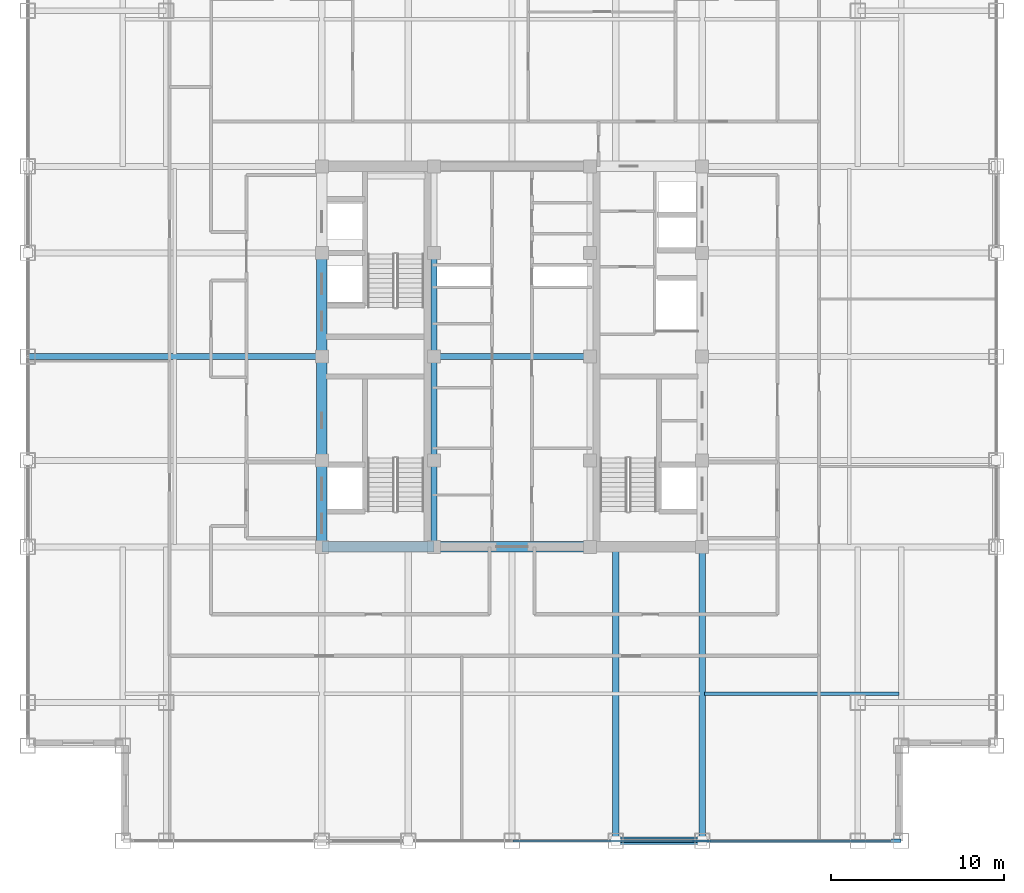
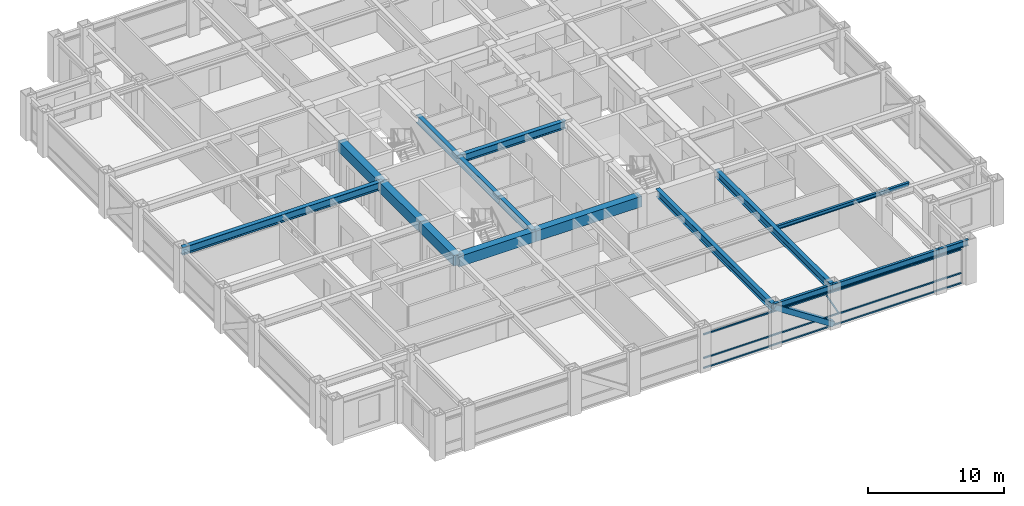
# One storey, part 7 of 22: 16 beams, 5 members, 1 element without a shape of its own.
"""IFC4 building model written with IfcOpenShell, lengths in metres."""

from ifc_helpers import new_model, si_unit, direction, frame, origin, origin_2d, place, context, subcontext, project, spatial, rectangle, hollow_rectangle, i_section, extrude, source, transform, mapped, material, material_profile, profile_set, type_object, element, aggregate, save


model = new_model("IFC4")

# Units and contexts
model_context = context("Model", 3, precision=1e-05, world=origin(), true_north=direction((0.0, 1.0)))
body_context = subcontext(model_context, "Body", "Model", "MODEL_VIEW")
ifc_project = project(units=[si_unit("LENGTHUNIT", "METRE"), si_unit("AREAUNIT", "SQUARE_METRE"), si_unit("VOLUMEUNIT", "CUBIC_METRE"), si_unit("PLANEANGLEUNIT", "RADIAN"), si_unit("MASSUNIT", "GRAM", prefix="KILO")], contexts=[model_context])

# Site, building, storey
site_placement = place(None, origin())
site = spatial("IfcSite", under=ifc_project, at=site_placement, CompositionType="ELEMENT")
building_placement = place(site_placement, origin())
building = spatial("IfcBuilding", under=site, at=building_placement, Name="Khorayat Bourse Tower", CompositionType="ELEMENT")
storey_placement = place(building_placement, frame((0.0, 0.0, 305.5)))
storey = spatial("IfcBuildingStorey", under=building, at=storey_placement, Name="L72", CompositionType="ELEMENT", Elevation=305.5)

# Beams
ifc_material_1 = material(Name="Steel ASTM A992 Grade 50", Category="steel")
ifc_material_profile_1 = material_profile(ifc_material_1, i_section(OverallWidth=0.35498046875, OverallDepth=0.695068359375, WebThickness=0.015380859375, FlangeThickness=0.02490234375, FilletRadius=0.01806640625, at=origin_2d()), Name="W690X217")
ifc_profile_set_1 = profile_set([ifc_material_profile_1], Name="Steel ASTM A992 Grade 50")
beam_type_1 = type_object("IfcBeamType", Name="BM-GIRD-690", PredefinedType="BEAM", material=ifc_profile_set_1)
shared_shape_1 = source(origin(), body_context, "Body", "SweptSolid", [
    extrude(i_section(OverallWidth=0.35498046875, OverallDepth=0.695068359375, WebThickness=0.015380859375, FlangeThickness=0.02490234375, FilletRadius=0.01806640625, at=origin_2d()), origin(), (0.0, 0.0, 1.0), 5.0),
])
beam_1_placement = place(storey_placement, frame((-4.5, -11.0, 3.4326171875), z_axis=(0.0, 1.0, 0.0), x_axis=(-1.0, 0.0, 0.0)))
element("IfcBeam", 1, at=beam_1_placement, inside=storey, type_object=beam_type_1, Name="L72 BM-GIRD-690 BM-L72-CRX-05", PredefinedType="BEAM", context=body_context, shape_type="MappedRepresentation", body=[
    mapped(shared_shape_1, transform((0.0, 0.0, 0.0), scale=1.0)),
])
shared_shape_2 = source(origin(), body_context, "Body", "SweptSolid", [
    extrude(i_section(OverallWidth=0.35498046875, OverallDepth=0.695068359375, WebThickness=0.015380859375, FlangeThickness=0.02490234375, FilletRadius=0.01806640625, at=origin_2d()), origin(), (0.0, 0.0, 1.0), 6.0),
])
for number, where, z_axis, x_axis, name in (
    (2, (-4.5, -6.0, 3.4326171875), (0.0, 1.0, 0.0), (-1.0, 0.0, 0.0), "L72 BM-GIRD-690 BM-L72-CRX-06"),
    (3, (-4.5, 0.0, 3.4326171875), (0.0, 1.0, 0.0), (-1.0, 0.0, 0.0), "L72 BM-GIRD-690 BM-L72-CRX-07"),
):
    element("IfcBeam", number, at=place(storey_placement, frame(where, z_axis=z_axis, x_axis=x_axis)), inside=storey, type_object=beam_type_1, Name=name, PredefinedType="BEAM", context=body_context, shape_type="MappedRepresentation", body=[
        mapped(shared_shape_2, transform((0.0, 0.0, 0.0), scale=1.0)),
    ])
shared_shape_3 = source(origin(), body_context, "Body", "SweptSolid", [
    extrude(i_section(OverallWidth=0.35498046875, OverallDepth=0.695068359375, WebThickness=0.015380859375, FlangeThickness=0.02490234375, FilletRadius=0.01806640625, at=origin_2d()), origin(), (0.0, 0.0, 1.0), 9.0),
])
beam_2_placement = place(storey_placement, frame((-4.5, 0.0, 3.4326171875), z_axis=(1.0, 0.0, 0.0), x_axis=(0.0, 1.0, 0.0)))
element("IfcBeam", 4, at=beam_2_placement, inside=storey, type_object=beam_type_1, Name="L72 BM-GIRD-690 BM-L72-CRY-23", PredefinedType="BEAM", context=body_context, shape_type="MappedRepresentation", body=[
    mapped(shared_shape_3, transform((0.0, 0.0, 0.0), scale=1.0)),
])
ifc_material_2 = material(Name="Concrete C60/75", Category="concrete")
ifc_material_profile_2 = material_profile(ifc_material_2, rectangle(XDim=0.60009765625, YDim=0.949951171875, at=origin_2d()), Name="RC 600x950")
ifc_profile_set_2 = profile_set([ifc_material_profile_2], Name="Concrete C60/75")
beam_type_2 = type_object("IfcBeamType", Name="BM-COUP-950", PredefinedType="BEAM", material=ifc_profile_set_2)
shared_shape_4 = source(origin(), body_context, "Body", "SweptSolid", [
    extrude(rectangle(XDim=0.60009765625, YDim=0.949951171875, at=origin_2d()), origin(), (0.0, 0.0, 1.0), 5.0),
])
beam_3_placement = place(storey_placement, frame((-11.0, -11.0, 3.304931640625), z_axis=(0.0, 1.0, 0.0), x_axis=(-1.0, 0.0, 0.0)))
element("IfcBeam", 5, at=beam_3_placement, inside=storey, type_object=beam_type_2, Name="L72 BM-COUP-950 BM-L72-CRX-01", PredefinedType="BEAM", context=body_context, shape_type="MappedRepresentation", body=[
    mapped(shared_shape_4, transform((0.0, 0.0, 0.0), scale=1.0)),
])
shared_shape_5 = source(origin(), body_context, "Body", "SweptSolid", [
    extrude(rectangle(XDim=0.60009765625, YDim=0.949951171875, at=origin_2d()), origin(), (0.0, 0.0, 1.0), 6.0),
])
for number, where, z_axis, x_axis, name in (
    (6, (-11.0, -6.0, 3.304931640625), (0.0, 1.0, 0.0), (-1.0, 0.0, 0.0), "L72 BM-COUP-950 BM-L72-CRX-02"),
    (7, (-11.0, 0.0, 3.304931640625), (0.0, 1.0, 0.0), (-1.0, 0.0, 0.0), "L72 BM-COUP-950 BM-L72-CRX-03"),
):
    element("IfcBeam", number, at=place(storey_placement, frame(where, z_axis=z_axis, x_axis=x_axis)), inside=storey, type_object=beam_type_2, Name=name, PredefinedType="BEAM", context=body_context, shape_type="MappedRepresentation", body=[
        mapped(shared_shape_5, transform((0.0, 0.0, 0.0), scale=1.0)),
    ])
shared_shape_6 = source(origin(), body_context, "Body", "SweptSolid", [
    extrude(rectangle(XDim=0.60009765625, YDim=0.949951171875, at=origin_2d()), origin(), (0.0, 0.0, 1.0), 6.5),
])
beam_4_placement = place(storey_placement, frame((-11.0, -11.0, 3.304931640625), z_axis=(1.0, 0.0, 0.0), x_axis=(0.0, 1.0, 0.0)))
element("IfcBeam", 8, at=beam_4_placement, inside=storey, type_object=beam_type_2, Name="L72 BM-COUP-950 BM-L72-CRY-17", PredefinedType="BEAM", context=body_context, shape_type="MappedRepresentation", body=[
    mapped(shared_shape_6, transform((0.0, 0.0, 0.0), scale=1.0)),
])
shared_shape_7 = source(origin(), body_context, "Body", "SweptSolid", [
    extrude(rectangle(XDim=0.60009765625, YDim=0.949951171875, at=origin_2d()), origin(), (0.0, 0.0, 1.0), 9.0),
])
beam_5_placement = place(storey_placement, frame((-4.5, -11.0, 3.304931640625), z_axis=(1.0, 0.0, 0.0), x_axis=(0.0, 1.0, 0.0)))
element("IfcBeam", 9, at=beam_5_placement, inside=storey, type_object=beam_type_2, Name="L72 BM-COUP-950 BM-L72-CRY-18", PredefinedType="BEAM", context=body_context, shape_type="MappedRepresentation", body=[
    mapped(shared_shape_7, transform((0.0, 0.0, 0.0), scale=1.0)),
])

# Member
ifc_material_3 = material(Name="Steel EN 10025-4 S460M", Category="steel")
ifc_material_profile_3 = material_profile(ifc_material_3, hollow_rectangle(XDim=0.449951171875, YDim=0.449951171875, WallThickness=0.02490234375, at=origin_2d()), Name="HSS 450x450x25")
ifc_profile_set_3 = profile_set([ifc_material_profile_3], Name="Steel EN 10025-4 S460M")
member_type_1 = type_object("IfcMemberType", Name="MBR-TUBE-450", PredefinedType="BRACE", material=ifc_profile_set_3)
shared_shape_8 = source(origin(), body_context, "Body", "SweptSolid", [
    extrude(hollow_rectangle(XDim=0.449951171875, YDim=0.449951171875, WallThickness=0.02490234375, at=origin_2d()), origin(), (0.0, 0.0, 1.0), 5.979736328125),
])
member_1_placement = place(storey_placement, frame((6.0, -28.0, 3.530029296875), z_axis=(0.836141536525, 0.0, -0.548513747227), x_axis=(0.0, 1.0, 0.0)))
element("IfcMember", 10, at=member_1_placement, inside=storey, type_object=member_type_1, Name="L72 Perimeter Tube Brace 02", PredefinedType="BRACE", context=body_context, shape_type="MappedRepresentation", body=[
    mapped(shared_shape_8, transform((0.0, 0.0, 0.0), scale=1.0)),
])

# Beams
shared_shape_9 = source(origin(), body_context, "Body", "SweptSolid", [
    extrude(i_section(OverallWidth=0.35498046875, OverallDepth=0.695068359375, WebThickness=0.015380859375, FlangeThickness=0.02490234375, FilletRadius=0.01806640625, at=origin_2d()), origin(), (0.0, 0.0, 1.0), 17.0),
])
for number, where, z_axis, x_axis, name in (
    (11, (6.0, -28.0, 3.4326171875), (0.0, 1.0, 0.0), (-1.0, 0.0, 0.0), "L72 BM-GIRD-690 BM-L72-RADY-071"),
    (12, (11.0, -28.0, 3.4326171875), (0.0, 1.0, 0.0), (-1.0, 0.0, 0.0), "L72 BM-GIRD-690 BM-L72-RADY-073"),
    (13, (-28.0, 0.0, 3.4326171875), (1.0, 0.0, 0.0), (0.0, 1.0, 0.0), "L72 BM-GIRD-690 BM-L72-RADX-079"),
):
    element("IfcBeam", number, at=place(storey_placement, frame(where, z_axis=z_axis, x_axis=x_axis)), inside=storey, type_object=beam_type_1, Name=name, PredefinedType="BEAM", context=body_context, shape_type="MappedRepresentation", body=[
        mapped(shared_shape_9, transform((0.0, 0.0, 0.0), scale=1.0)),
    ])
ifc_material_profile_4 = material_profile(ifc_material_1, i_section(OverallWidth=0.202880859375, OverallDepth=0.346923828125, WebThickness=0.0078125, FlangeThickness=0.013427734375, FilletRadius=0.010009765625, at=origin_2d()), Name="W360X64")
ifc_profile_set_4 = profile_set([ifc_material_profile_4], Name="Steel ASTM A992 Grade 50")
beam_type_3 = type_object("IfcBeamType", Name="BM-JOIST-360", PredefinedType="JOIST", material=ifc_profile_set_4)
shared_shape_10 = source(origin(), body_context, "Body", "SweptSolid", [
    extrude(i_section(OverallWidth=0.202880859375, OverallDepth=0.346923828125, WebThickness=0.0078125, FlangeThickness=0.013427734375, FilletRadius=0.010009765625, at=origin_2d()), origin(), (0.0, 0.0, 1.0), 11.240234375),
])
beam_6_placement = place(storey_placement, frame((11.1298828125, -19.5, 3.6064453125), z_axis=(1.0, 0.0, 0.0), x_axis=(0.0, 1.0, 0.0)))
element("IfcBeam", 14, at=beam_6_placement, inside=storey, type_object=beam_type_3, Name="L72 BM-JOIST-360 BM-L72-JSTX-098", PredefinedType="JOIST", context=body_context, shape_type="MappedRepresentation", body=[
    mapped(shared_shape_10, transform((0.0, 0.0, 0.0), scale=1.0)),
])
ifc_material_profile_5 = material_profile(ifc_material_1, i_section(OverallWidth=0.214111328125, OverallDepth=0.549072265625, WebThickness=0.0146484375, FlangeThickness=0.023681640625, FilletRadius=0.013916015625, at=origin_2d()), Name="W530X138")
ifc_profile_set_5 = profile_set([ifc_material_profile_5], Name="Steel ASTM A992 Grade 50")
beam_type_4 = type_object("IfcBeamType", Name="BM-SPAN-530", PredefinedType="SPANDREL", material=ifc_profile_set_5)
shared_shape_11 = source(origin(), body_context, "Body", "SweptSolid", [
    extrude(i_section(OverallWidth=0.214111328125, OverallDepth=0.549072265625, WebThickness=0.0146484375, FlangeThickness=0.023681640625, FilletRadius=0.013916015625, at=origin_2d()), origin(), (0.0, 0.0, 1.0), 2.5),
])
beam_7_placement = place(storey_placement, frame((20.0, -28.0, 3.505615234375), z_axis=(1.0, 0.0, 0.0), x_axis=(0.0, 1.0, 0.0)))
element("IfcBeam", 15, at=beam_7_placement, inside=storey, type_object=beam_type_4, Name="L72 BM-SPAN-530 BM-L72-SPN-031", PredefinedType="SPANDREL", context=body_context, shape_type="MappedRepresentation", body=[
    mapped(shared_shape_11, transform((0.0, 0.0, 0.0), scale=1.0)),
])
shared_shape_12 = source(origin(), body_context, "Body", "SweptSolid", [
    extrude(i_section(OverallWidth=0.214111328125, OverallDepth=0.549072265625, WebThickness=0.0146484375, FlangeThickness=0.023681640625, FilletRadius=0.013916015625, at=origin_2d()), origin(), (0.0, 0.0, 1.0), 9.0),
])
beam_8_placement = place(storey_placement, frame((11.0, -28.0, 3.505615234375), z_axis=(1.0, 0.0, 0.0), x_axis=(0.0, 1.0, 0.0)))
element("IfcBeam", 16, at=beam_8_placement, inside=storey, type_object=beam_type_4, Name="L72 BM-SPAN-530 BM-L72-SPN-030", PredefinedType="SPANDREL", context=body_context, shape_type="MappedRepresentation", body=[
    mapped(shared_shape_12, transform((0.0, 0.0, 0.0), scale=1.0)),
])
shared_shape_13 = source(origin(), body_context, "Body", "SweptSolid", [
    extrude(i_section(OverallWidth=0.214111328125, OverallDepth=0.549072265625, WebThickness=0.0146484375, FlangeThickness=0.023681640625, FilletRadius=0.013916015625, at=origin_2d()), origin(), (0.0, 0.0, 1.0), 5.0),
])
beam_9_placement = place(storey_placement, frame((6.0, -28.0, 3.505615234375), z_axis=(1.0, 0.0, 0.0), x_axis=(0.0, 1.0, 0.0)))
element("IfcBeam", 17, at=beam_9_placement, inside=storey, type_object=beam_type_4, Name="L72 BM-SPAN-530 BM-L72-SPN-029", PredefinedType="SPANDREL", context=body_context, shape_type="MappedRepresentation", body=[
    mapped(shared_shape_13, transform((0.0, 0.0, 0.0), scale=1.0)),
])

# Curtain wall, members
ifc_material_4 = material(Name="Aluminium EN AW-6063 T6", Category="aluminium")
curtain_wall_type = type_object("IfcCurtainWallType", Name="CW-SYS-04", PredefinedType="NOTDEFINED", material=ifc_material_4)
curtain_wall_placement = place(storey_placement, origin())
curtain_wall = element("IfcCurtainWall", 18, at=curtain_wall_placement, inside=storey, type_object=curtain_wall_type, Name="L72 Curtain Wall CW-L72-S1", PredefinedType="NOTDEFINED")
ifc_material_profile_6 = material_profile(ifc_material_4, hollow_rectangle(XDim=0.1201171875, YDim=0.1201171875, WallThickness=0.0048828125, at=origin_2d()), Name="ALU 120x120x5")
ifc_profile_set_6 = profile_set([ifc_material_profile_6], Name="Aluminium EN AW-6063 T6")
member_type_2 = type_object("IfcMemberType", Name="CWM-DIAG-120", PredefinedType="MULLION", material=ifc_profile_set_6)
shared_shape_14 = source(origin(), body_context, "Body", "SweptSolid", [
    extrude(hollow_rectangle(XDim=0.1201171875, YDim=0.1201171875, WallThickness=0.0048828125, at=origin_2d()), origin(), (0.0, 0.0, 1.0), 2.0791015625),
])
member_2_placement = place(storey_placement, frame((11.4541015625, -28.0, 1.090087890625), z_axis=(-0.465717394116, 0.0, 0.884933505309), x_axis=(0.0, -1.0, 0.0)))
member_2 = element("IfcMember", 19, at=member_2_placement, type_object=member_type_2, Name="CW-L72-S1 Faceted Diagonal Mullion 2", PredefinedType="MULLION", context=body_context, shape_type="MappedRepresentation", body=[
    mapped(shared_shape_14, transform((0.0, 0.0, 0.0), scale=1.0)),
])
ifc_material_profile_7 = material_profile(ifc_material_4, hollow_rectangle(XDim=0.1201171875, YDim=0.1201171875, WallThickness=0.0048828125, at=origin_2d()), Name="ALU 120x120x5")
ifc_profile_set_7 = profile_set([ifc_material_profile_7], Name="Aluminium EN AW-6063 T6")
member_type_3 = type_object("IfcMemberType", Name="CWT-HORZ-120", PredefinedType="USERDEFINED", material=ifc_profile_set_7)
shared_shape_15 = source(origin(), body_context, "Body", "SweptSolid", [
    extrude(hollow_rectangle(XDim=0.1201171875, YDim=0.1201171875, WallThickness=0.0048828125, at=origin_2d()), origin(), (0.0, 0.0, 1.0), 21.81982421875),
])
member_3_placement = place(storey_placement, frame((0.06005859375, -28.0, 0.06005859375), z_axis=(1.0, 0.0, 0.0), x_axis=(0.0, 1.0, 0.0)))
member_3 = element("IfcMember", 20, at=member_3_placement, type_object=member_type_3, Name="CW-L72-S1 Horizontal Transom 2-1", ObjectType="TRANSOM", PredefinedType="USERDEFINED", context=body_context, shape_type="MappedRepresentation", body=[
    mapped(shared_shape_15, transform((0.0, 0.0, 0.0), scale=1.0)),
])
member_4_placement = place(storey_placement, frame((0.06005859375, -28.0, 0.949951171875), z_axis=(1.0, 0.0, 0.0), x_axis=(0.0, 1.0, 0.0)))
member_4 = element("IfcMember", 21, at=member_4_placement, type_object=member_type_3, Name="CW-L72-S1 Horizontal Transom 2-2", ObjectType="TRANSOM", PredefinedType="USERDEFINED", context=body_context, shape_type="MappedRepresentation", body=[
    mapped(shared_shape_15, transform((0.0, 0.0, 0.0), scale=1.0)),
])
member_5_placement = place(storey_placement, frame((0.06005859375, -28.0, 3.070068359375), z_axis=(1.0, 0.0, 0.0), x_axis=(0.0, 1.0, 0.0)))
member_5 = element("IfcMember", 22, at=member_5_placement, type_object=member_type_3, Name="CW-L72-S1 Horizontal Transom 2-3", ObjectType="TRANSOM", PredefinedType="USERDEFINED", context=body_context, shape_type="MappedRepresentation", body=[
    mapped(shared_shape_15, transform((0.0, 0.0, 0.0), scale=1.0)),
])
aggregate(curtain_wall, [member_3, member_4, member_5, member_2])

save(model, "model.ifc")
